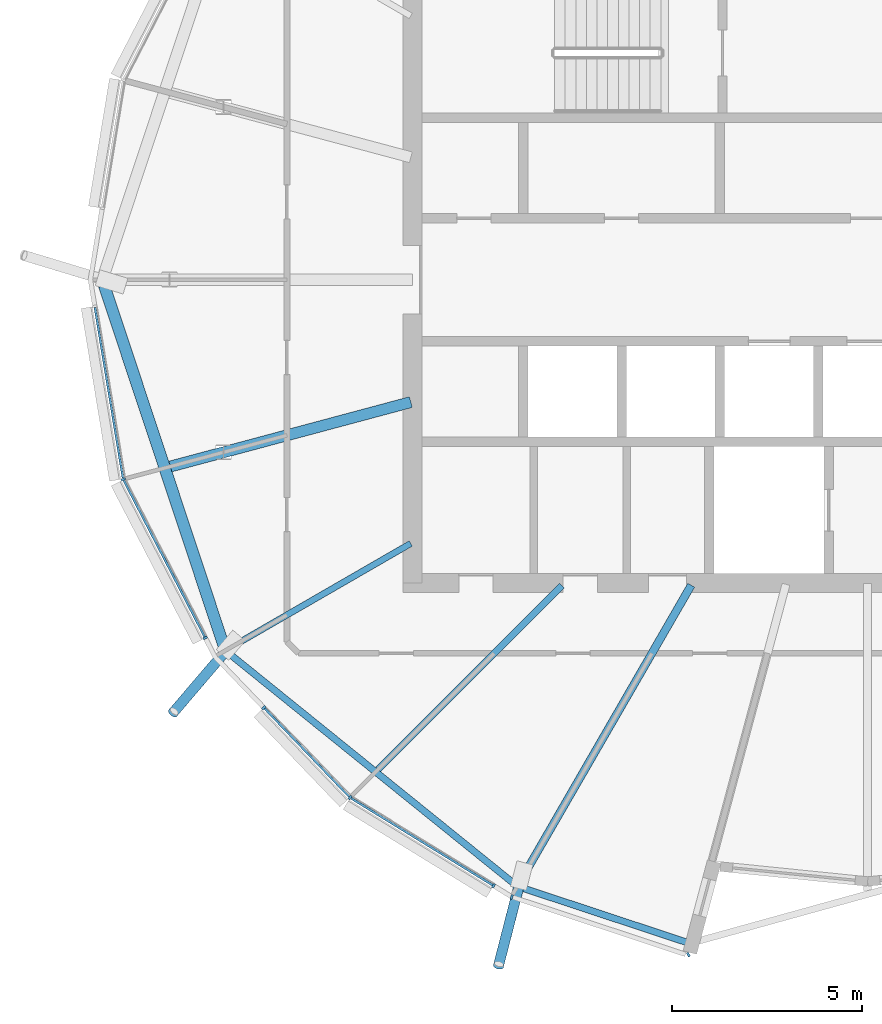
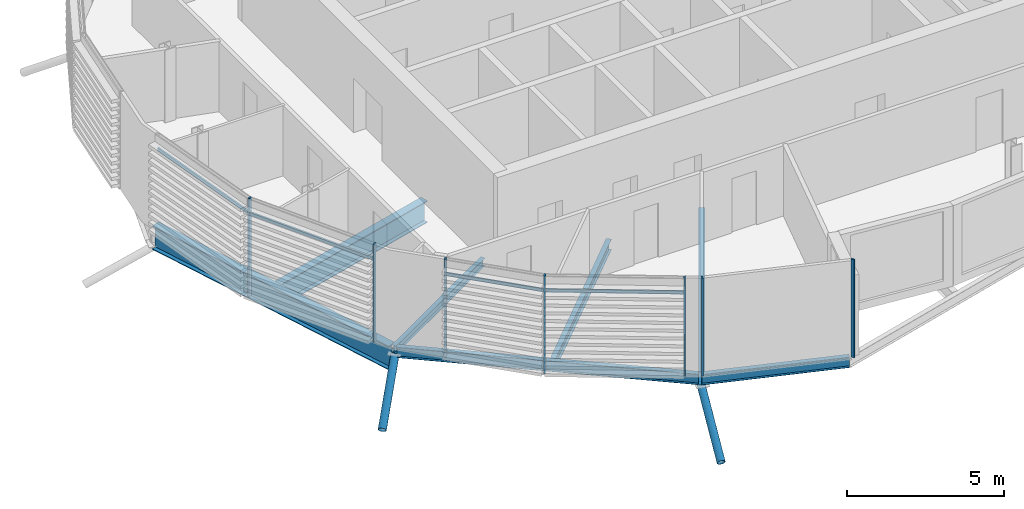
# One storey, part 3 of 33: 13 members, 7 beams, 1 element without a shape of its own.
"""IFC4 building model written with IfcOpenShell, lengths in metres."""

from ifc_helpers import new_model, si_unit, direction, frame, origin, origin_2d, place, context, subcontext, project, spatial, rectangle, hollow_circle, i_section, extrude, clip, halfspace, material, material_profile, profile_set, type_object, element, aggregate, save


model = new_model("IFC4")

# Units and contexts
model_context = context("Model", 3, precision=1e-05, world=origin(), true_north=direction((0.0, 1.0)))
body_context = subcontext(model_context, "Body", "Model", "MODEL_VIEW")
ifc_project = project(units=[si_unit("LENGTHUNIT", "METRE"), si_unit("AREAUNIT", "SQUARE_METRE"), si_unit("VOLUMEUNIT", "CUBIC_METRE"), si_unit("PLANEANGLEUNIT", "RADIAN"), si_unit("MASSUNIT", "GRAM", prefix="KILO")], contexts=[model_context])

# Site, building, storey
site_placement = place(None, origin())
site = spatial("IfcSite", under=ifc_project, at=site_placement, CompositionType="ELEMENT")
building_placement = place(site_placement, origin())
building = spatial("IfcBuilding", under=site, at=building_placement, Name="Rimbun Link Towers", CompositionType="ELEMENT")
storey_placement = place(building_placement, frame((0.0, 0.0, 237.10009765625)))
storey = spatial("IfcBuildingStorey", under=building, at=storey_placement, Name="L58", CompositionType="ELEMENT", Elevation=237.10009765625)

# Curtain wall, members
ifc_material_1 = material(Name="Aluminium 6063-T6 and low-iron glass", Category="aluminium")
curtain_wall_type = type_object("IfcCurtainWallType", Name="CW1-Z4 unitised vision wall (zone 4)", PredefinedType="NOTDEFINED", material=ifc_material_1)
curtain_wall_placement = place(storey_placement, origin())
curtain_wall = element("IfcCurtainWall", 1, at=curtain_wall_placement, inside=storey, type_object=curtain_wall_type, Name="CW1 L58 T1", PredefinedType="NOTDEFINED")
ifc_material_2 = material(Name="Aluminium 6063-T6", Category="aluminium")
ifc_material_profile_1 = material_profile(ifc_material_2, rectangle(XDim=0.1201171875, YDim=0.06005859375, at=origin_2d()), Name="MULLION 60X120")
ifc_profile_set_1 = profile_set([ifc_material_profile_1], Name="Aluminium 6063-T6")
member_type_1 = type_object("IfcMemberType", Name="CW1 mullion 60X120", PredefinedType="MULLION", material=ifc_profile_set_1)
member_1_placement = place(storey_placement, frame((-51.3701171875, -5.260986328125, 0.0), z_axis=(0.0, 0.0, 1.0), x_axis=(-0.949161339918, -0.314790010651, 0.0)))
member_1 = element("IfcMember", 2, at=member_1_placement, type_object=member_type_1, Name="CW1 mullion", PredefinedType="MULLION", context=body_context, shape_type="SweptSolid", body=[
    extrude(rectangle(XDim=0.1201171875, YDim=0.06005859375, at=origin_2d()), origin(), (0.0, 0.0, 1.0), 3.7998046875),
])
member_2_placement = place(storey_placement, frame((-49.207763671875, -9.441650390625, 0.0), z_axis=(0.0, 0.0, 1.0), x_axis=(-0.888151937067, -0.459549928391, 0.0)))
member_2 = element("IfcMember", 3, at=member_2_placement, type_object=member_type_1, Name="CW1 mullion", PredefinedType="MULLION", context=body_context, shape_type="SweptSolid", body=[
    extrude(rectangle(XDim=0.1201171875, YDim=0.06005859375, at=origin_2d()), origin(), (0.0, 0.0, 1.0), 3.7998046875),
])
member_3_placement = place(storey_placement, frame((-45.39111328125, -13.650146484375, 0.0), z_axis=(0.0, 0.0, 1.0), x_axis=(-0.627668219007, -0.778480961134, 0.0)))
member_3 = element("IfcMember", 4, at=member_3_placement, type_object=member_type_1, Name="CW1 mullion", PredefinedType="MULLION", context=body_context, shape_type="SweptSolid", body=[
    extrude(rectangle(XDim=0.1201171875, YDim=0.06005859375, at=origin_2d()), origin(), (0.0, 0.0, 1.0), 3.7998046875),
])
member_4_placement = place(storey_placement, frame((-47.664794921875, -11.279541015625, 0.0), z_axis=(0.0, 0.0, 1.0), x_axis=(-0.721841631662, -0.692058277025, 0.0)))
member_4 = element("IfcMember", 5, at=member_4_placement, type_object=member_type_1, Name="CW1 mullion", PredefinedType="MULLION", context=body_context, shape_type="SweptSolid", body=[
    extrude(rectangle(XDim=0.1201171875, YDim=0.06005859375, at=origin_2d()), origin(), (0.0, 0.0, 1.0), 3.7998046875),
])
member_5_placement = place(storey_placement, frame((-41.60888671875, -15.97314453125, 0.0), z_axis=(0.0, 0.0, 1.0), x_axis=(-0.523240269306, -0.852185203214, 0.0)))
member_5 = element("IfcMember", 6, at=member_5_placement, type_object=member_type_1, Name="CW1 mullion", PredefinedType="MULLION", context=body_context, shape_type="SweptSolid", body=[
    extrude(rectangle(XDim=0.1201171875, YDim=0.06005859375, at=origin_2d()), origin(), (0.0, 0.0, 1.0), 3.7998046875),
])
member_6_placement = place(storey_placement, frame((-36.473876953125, -17.7890625, 0.0), z_axis=(0.0, 0.0, 1.0), x_axis=(0.474595886631, -0.88020380844, 0.0)))
member_6 = element("IfcMember", 7, at=member_6_placement, type_object=member_type_1, Name="CW1 mullion", PredefinedType="MULLION", context=body_context, shape_type="SweptSolid", body=[
    extrude(rectangle(XDim=0.1201171875, YDim=0.06005859375, at=origin_2d()), origin(), (0.0, 0.0, 1.0), 3.7998046875),
])
member_7_placement = place(storey_placement, frame((-41.127685546875, -16.266845703125, 0.0), z_axis=(0.0, 0.0, 1.0), x_axis=(-0.314570456722, -0.949234126945, 0.0)))
member_7 = element("IfcMember", 8, at=member_7_placement, type_object=member_type_1, Name="CW1 mullion", PredefinedType="MULLION", context=body_context, shape_type="SweptSolid", body=[
    extrude(rectangle(XDim=0.1201171875, YDim=0.06005859375, at=origin_2d()), origin(), (0.0, 0.0, 1.0), 3.7998046875),
])
ifc_material_3 = material(Name="Aluminium 6063-T6", Category="aluminium")
ifc_material_profile_2 = material_profile(ifc_material_3, rectangle(XDim=0.06005859375, YDim=0.1201171875, at=origin_2d()), Name="TRANSOM 60X120")
ifc_profile_set_2 = profile_set([ifc_material_profile_2], Name="Aluminium 6063-T6")
member_type_2 = type_object("IfcMemberType", Name="CW1 transom 60X120", PredefinedType="USERDEFINED", material=ifc_profile_set_2)
member_8_placement = place(storey_placement, frame((-51.375244140625, -5.221923828125, 3.199951171875), z_axis=(-0.162276698712, 0.986745292897, 0.0), x_axis=(-0.986745292897, -0.162276698712, 0.0)))
member_8 = element("IfcMember", 9, at=member_8_placement, type_object=member_type_2, Name="CW1 transom", ObjectType="TRANSOM", PredefinedType="USERDEFINED", context=body_context, shape_type="SweptSolid", body=[
    extrude(rectangle(XDim=0.06005859375, YDim=0.1201171875, at=origin_2d()), origin(), (0.0, 0.0, 1.0), 4.552490234375),
])
member_9_placement = place(storey_placement, frame((-49.2197265625, -9.4140625, 3.199951171875), z_axis=(-0.459553246669, 0.888150220107, 0.0), x_axis=(-0.888150220107, -0.459553246669, 0.0)))
member_9 = element("IfcMember", 10, at=member_9_placement, type_object=member_type_2, Name="CW1 transom", ObjectType="TRANSOM", PredefinedType="USERDEFINED", context=body_context, shape_type="SweptSolid", body=[
    extrude(rectangle(XDim=0.06005859375, YDim=0.1201171875, at=origin_2d()), origin(), (0.0, 0.0, 1.0), 4.637451171875),
])
member_10_placement = place(storey_placement, frame((-45.416015625, -13.6220703125, 3.199951171875), z_axis=(-0.692076755935, 0.721823914743, 0.0), x_axis=(-0.721823914743, -0.692076755935, 0.0)))
member_10 = element("IfcMember", 11, at=member_10_placement, type_object=member_type_2, Name="CW1 transom", ObjectType="TRANSOM", PredefinedType="USERDEFINED", context=body_context, shape_type="SweptSolid", body=[
    extrude(rectangle(XDim=0.06005859375, YDim=0.1201171875, at=origin_2d()), origin(), (0.0, 0.0, 1.0), 3.21728515625),
])
member_11_placement = place(storey_placement, frame((-41.63330078125, -15.955810546875, 3.199951171875), z_axis=(-0.852194819153, 0.523224607801, 0.0), x_axis=(-0.523224607801, -0.852194819153, 0.0)))
member_11 = element("IfcMember", 12, at=member_11_placement, type_object=member_type_2, Name="CW1 transom", ObjectType="TRANSOM", PredefinedType="USERDEFINED", context=body_context, shape_type="SweptSolid", body=[
    extrude(rectangle(XDim=0.06005859375, YDim=0.1201171875, at=origin_2d()), origin(), (0.0, 0.0, 1.0), 4.37109375),
])
aggregate(curtain_wall, [member_1, member_2, member_3, member_4, member_5, member_6, member_7, member_8, member_9, member_10, member_11])

# Members
ifc_material_4 = material(Name="Steel S355J2H", Category="steel")
ifc_material_profile_3 = material_profile(ifc_material_4, hollow_circle(Radius=0.136474609375, WallThickness=0.012451171875, at=origin_2d()), Name="CHS 273x12.5")
ifc_profile_set_3 = profile_set([ifc_material_profile_3], Name="Steel S355J2H")
member_type_3 = type_object("IfcMemberType", Name="Floor edge link CHS 273x12.5", PredefinedType="BRACE", material=ifc_profile_set_3)
member_12_placement = place(storey_placement, frame((-48.635498046875, -9.748779296875, -0.558837890625), z_axis=(-0.551101312, -0.645492469093, -0.528797519147), x_axis=(0.760523102048, -0.649310874121, 0.0)))
element("IfcMember", 13, at=member_12_placement, inside=storey, type_object=member_type_3, Name="Floor edge link T1 L58 14", PredefinedType="BRACE", context=body_context, shape_type="Clipping", body=[
    clip(extrude(hollow_circle(Radius=0.136474609375, WallThickness=0.012451171875, at=origin_2d()), frame((0.0, 0.0, -0.457275390625)), (0.0, 0.0, 1.0), 3.051513671875), halfspace(frame((0.0, 0.0, -0.21435546875), z_axis=(0.0, 0.848748009567, -0.528797519147)), False)),
])
member_13_placement = place(storey_placement, frame((-40.91015625, -15.865966796875, -0.790283203125), z_axis=(-0.214474291028, -0.833813279455, -0.508680836569), x_axis=(0.968474675013, -0.249112030739, 0.0)))
element("IfcMember", 14, at=member_13_placement, inside=storey, type_object=member_type_3, Name="Floor edge link T1 L58 16", PredefinedType="BRACE", context=body_context, shape_type="Clipping", body=[
    clip(extrude(hollow_circle(Radius=0.136474609375, WallThickness=0.012451171875, at=origin_2d()), frame((0.0, 0.0, -0.481689453125)), (0.0, 0.0, 1.0), 3.157958984375), halfspace(frame((0.0, 0.0, -0.226318359375), z_axis=(0.0, 0.860955171021, -0.508680836569)), False)),
])

# Beams
ifc_material_5 = material(Name="Steel S355J2", Category="steel")
ifc_material_profile_4 = material_profile(ifc_material_5, i_section(OverallWidth=0.1650390625, OverallDepth=0.303466796875, WebThickness=0.006103515625, FlangeThickness=0.01025390625, at=origin_2d()), Name="UB 305x165x40")
ifc_profile_set_4 = profile_set([ifc_material_profile_4], Name="Steel S355J2")
beam_type_1 = type_object("IfcBeamType", Name="UB 305x165x40", PredefinedType="BEAM", material=ifc_profile_set_4)
beam_1_placement = place(storey_placement, frame((-43.7919921875, -6.952392578125, -0.291748046875), z_axis=(-0.866029956157, -0.499992114976, 0.0), x_axis=(0.499992114976, -0.866029956157, 0.0)))
element("IfcBeam", 15, at=beam_1_placement, inside=storey, type_object=beam_type_1, Name="Radial beam T1 L58 14", PredefinedType="BEAM", context=body_context, shape_type="SweptSolid", body=[
    extrude(i_section(OverallWidth=0.1650390625, OverallDepth=0.303466796875, WebThickness=0.006103515625, FlangeThickness=0.01025390625, at=origin_2d()), origin(), (0.0, 0.0, 1.0), 5.642578125),
])
ifc_material_6 = material(Name="Steel S355J2", Category="steel")
ifc_material_profile_5 = material_profile(ifc_material_6, i_section(OverallWidth=0.177978515625, OverallDepth=0.406494140625, WebThickness=0.0078125, FlangeThickness=0.0126953125, at=origin_2d()), Name="UB 406x178x60")
ifc_profile_set_5 = profile_set([ifc_material_profile_5], Name="Steel S355J2")
beam_type_2 = type_object("IfcBeamType", Name="UB 406x178x60", PredefinedType="BEAM", material=ifc_profile_set_5)
beam_2_placement = place(storey_placement, frame((-39.813720703125, -8.063720703125, -0.34326171875), z_axis=(-0.707106781187, -0.707106781187, 0.0), x_axis=(0.707106781187, -0.707106781187, 0.0)))
element("IfcBeam", 16, at=beam_2_placement, inside=storey, type_object=beam_type_2, Name="Radial beam T1 L58 15", PredefinedType="BEAM", context=body_context, shape_type="SweptSolid", body=[
    extrude(i_section(OverallWidth=0.177978515625, OverallDepth=0.406494140625, WebThickness=0.0078125, FlangeThickness=0.0126953125, at=origin_2d()), origin(), (0.0, 0.0, 1.0), 6.84814453125),
])
beam_3_placement = place(storey_placement, frame((-48.609130859375, -9.830078125, -0.34326171875), z_axis=(0.778075590963, -0.628170657343, 0.0), x_axis=(0.628170657343, 0.778075590963, 0.0)))
element("IfcBeam", 17, at=beam_3_placement, inside=storey, type_object=beam_type_2, Name="Edge beam T1 L58 14-16", PredefinedType="BEAM", context=body_context, shape_type="SweptSolid", body=[
    extrude(i_section(OverallWidth=0.177978515625, OverallDepth=0.406494140625, WebThickness=0.0078125, FlangeThickness=0.0126953125, at=origin_2d()), origin(), (0.0, 0.0, 1.0), 9.697021484375),
])
beam_4_placement = place(storey_placement, frame((-40.97998046875, -15.989013671875, -0.34326171875), z_axis=(0.949405466218, -0.314052958456, 0.0), x_axis=(0.314052958456, 0.949405466218, 0.0)))
element("IfcBeam", 18, at=beam_4_placement, inside=storey, type_object=beam_type_2, Name="Edge beam T1 L58 16", PredefinedType="BEAM", context=body_context, shape_type="SweptSolid", body=[
    extrude(i_section(OverallWidth=0.177978515625, OverallDepth=0.406494140625, WebThickness=0.0078125, FlangeThickness=0.0126953125, at=origin_2d()), origin(), (0.0, 0.0, 1.0), 4.783935546875),
])
ifc_material_7 = material(Name="Steel S355J2", Category="steel")
ifc_material_profile_6 = material_profile(ifc_material_7, i_section(OverallWidth=0.209228515625, OverallDepth=0.533203125, WebThickness=0.010009765625, FlangeThickness=0.015625, at=origin_2d()), Name="UB 533x210x92")
ifc_profile_set_6 = profile_set([ifc_material_profile_6], Name="Steel S355J2")
beam_type_3 = type_object("IfcBeamType", Name="UB 533x210x92", PredefinedType="BEAM", material=ifc_profile_set_6)
beam_5_placement = place(storey_placement, frame((-36.3994140625, -8.05322265625, -0.406494140625), z_axis=(-0.500020649791, -0.866013481294, 0.0), x_axis=(0.866013481294, -0.500020649791, 0.0)))
element("IfcBeam", 19, at=beam_5_placement, inside=storey, type_object=beam_type_3, Name="Radial beam T1 L58 16", PredefinedType="BEAM", context=body_context, shape_type="SweptSolid", body=[
    extrude(i_section(OverallWidth=0.209228515625, OverallDepth=0.533203125, WebThickness=0.010009765625, FlangeThickness=0.015625, at=origin_2d()), origin(), (0.0, 0.0, 1.0), 9.0712890625),
])
ifc_material_8 = material(Name="Steel S355J2", Category="steel")
ifc_material_profile_7 = material_profile(ifc_material_8, i_section(OverallWidth=0.29248046875, OverallDepth=0.8408203125, WebThickness=0.0126953125, FlangeThickness=0.021728515625, at=origin_2d()), Name="UB 838x292x194")
ifc_profile_set_7 = profile_set([ifc_material_profile_7], Name="Steel S355J2")
beam_type_4 = type_object("IfcBeamType", Name="UB 838x292x194", PredefinedType="BEAM", material=ifc_profile_set_7)
beam_6_placement = place(storey_placement, frame((-43.788818359375, -3.225830078125, -0.560546875), z_axis=(-0.965929781148, -0.258804284917, 0.0), x_axis=(0.258804284917, -0.965929781148, 0.0)))
element("IfcBeam", 20, at=beam_6_placement, inside=storey, type_object=beam_type_4, Name="Radial beam T1 L58 13", PredefinedType="BEAM", context=body_context, shape_type="SweptSolid", body=[
    extrude(i_section(OverallWidth=0.29248046875, OverallDepth=0.8408203125, WebThickness=0.0126953125, FlangeThickness=0.021728515625, at=origin_2d()), origin(), (0.0, 0.0, 1.0), 6.56103515625),
])
ifc_material_9 = material(Name="Steel S355J2", Category="steel")
ifc_material_profile_8 = material_profile(ifc_material_9, i_section(OverallWidth=0.305419921875, OverallDepth=0.91845703125, WebThickness=0.017333984375, FlangeThickness=0.02783203125, at=origin_2d()), Name="UB 914x305x253")
ifc_profile_set_8 = profile_set([ifc_material_profile_8], Name="Steel S355J2")
beam_type_5 = type_object("IfcBeamType", Name="UB 914x305x253", PredefinedType="BEAM", material=ifc_profile_set_8)
beam_7_placement = place(storey_placement, frame((-51.873046875, -0.147216796875, -0.599365234375), z_axis=(0.314931237743, -0.949114490193, 0.0), x_axis=(0.949114490193, 0.314931237743, 0.0)))
element("IfcBeam", 21, at=beam_7_placement, inside=storey, type_object=beam_type_5, Name="Edge beam T1 L58 12-14", PredefinedType="BEAM", context=body_context, shape_type="SweptSolid", body=[
    extrude(i_section(OverallWidth=0.305419921875, OverallDepth=0.91845703125, WebThickness=0.017333984375, FlangeThickness=0.02783203125, at=origin_2d()), origin(), (0.0, 0.0, 1.0), 10.0576171875),
])

save(model, "model.ifc")
